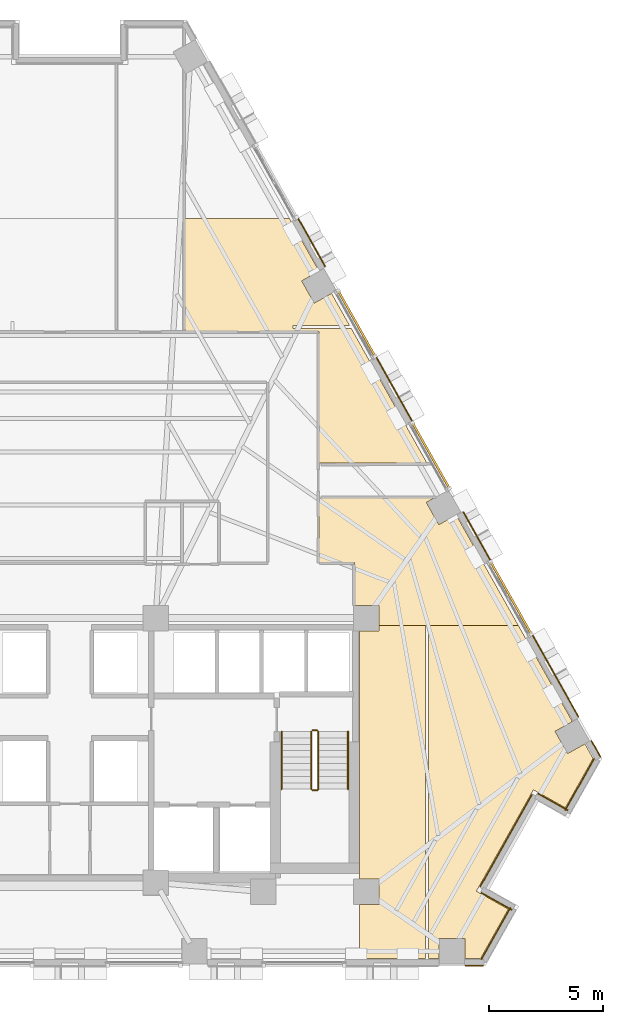
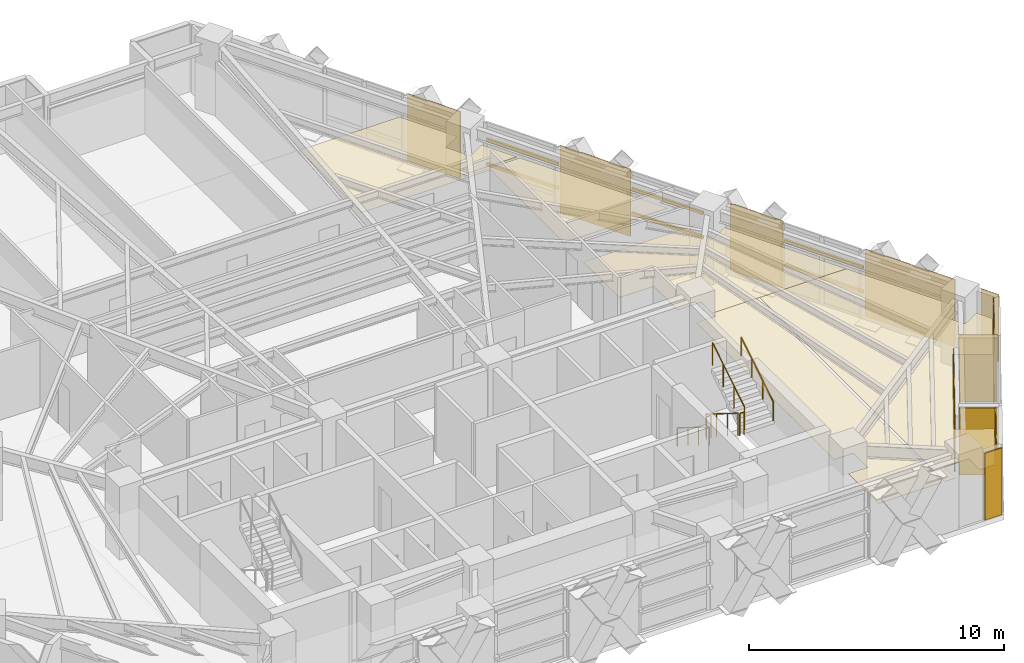
# One storey, part 13 of 14: 15 coverings, 6 railings, 6 shading devices.
"""IFC4 building model written with IfcOpenShell, lengths in metres."""

from ifc_helpers import new_model, si_unit, direction, frame, origin, origin_2d, place, context, subcontext, project, spatial, polyline, rectangle, circle, outline, extrude, material, layer, layer_set, material_profile, profile_set, type_object, element, save


model = new_model("IFC4")

# Units and contexts
model_context = context("Model", 3, precision=1e-05, world=origin(), true_north=direction((0.0, 1.0)))
body_context = subcontext(model_context, "Body", "Model", "MODEL_VIEW")
ifc_project = project(units=[si_unit("LENGTHUNIT", "METRE"), si_unit("AREAUNIT", "SQUARE_METRE"), si_unit("VOLUMEUNIT", "CUBIC_METRE"), si_unit("PLANEANGLEUNIT", "RADIAN"), si_unit("MASSUNIT", "GRAM", prefix="KILO")], contexts=[model_context])

# Site, building, storey
site_placement = place(None, origin())
site = spatial("IfcSite", under=ifc_project, at=site_placement, CompositionType="ELEMENT")
building_placement = place(site_placement, origin())
building = spatial("IfcBuilding", under=site, at=building_placement, Name="Quenlor Broadcast Tower", CompositionType="ELEMENT")
storey_placement = place(building_placement, frame((0.0, 0.0, 80.10009765625)))
storey = spatial("IfcBuildingStorey", under=building, at=storey_placement, Name="L21", CompositionType="ELEMENT", Elevation=80.10009765625)

# Coverings
ifc_material_1 = material(Name="Acoustic Mineral Fibre Board", Category="other")
ifc_layer_1 = layer(ifc_material_1, 0.02490234375)
ifc_layer_set_1 = layer_set([ifc_layer_1], Name="Acoustic Perforated Mineral Tile Ceiling 25")
covering_type_1 = type_object("IfcCoveringType", Name="Acoustic Perforated Mineral Tile Ceiling 25", PredefinedType="CEILING", material=ifc_layer_set_1)
covering_1_placement = place(storey_placement, frame((0.0, 0.0, 2.224853515625)))
element("IfcCovering", 1, at=covering_1_placement, inside=storey, type_object=covering_type_1, Name="L21 Acoustic Ceiling L21-36", PredefinedType="CEILING", context=body_context, shape_type="SweptSolid", body=[
    extrude(outline(polyline([(12.288818359375, 7.860107421875), (15.59619140625, 1.97998046875), (10.8798828125, 1.97998046875), (10.8798828125, 7.72998046875), (5.0400390625, 7.72998046875), (5.0400390625, 12.64990234375), (9.59423828125, 12.64990234375), (10.883544921875, 10.35791015625), (10.126953125, 9.9326171875), (10.674072265625, 8.959716796875), (11.4306640625, 9.38525390625), (12.22119140625, 7.97998046875), (9.75, 7.97998046875), (9.75, 7.860107421875), (12.288818359375, 7.860107421875)])), origin(), (0.0, 0.0, 1.0), 0.025146484375),
])
covering_2_placement = place(storey_placement, frame((0.0, 0.0, 2.224853515625)))
element("IfcCovering", 2, at=covering_2_placement, inside=storey, type_object=covering_type_1, Name="L21 Acoustic Ceiling L21-40-2", PredefinedType="CEILING", context=body_context, shape_type="SweptSolid", body=[
    extrude(outline(polyline([(13.508056640625, -4.241943359375), (12.43994140625, -4.241943359375), (12.43994140625, -2.3701171875), (10.8798828125, -2.3701171875), (10.8798828125, 0.4462890625), (15.909423828125, 0.4462890625), (15.5703125, 0.255615234375), (16.1171875, -0.717041015625), (16.873779296875, -0.29150390625), (19.58984375, -5.1201171875), (15.659912109375, -5.1201171875), (15.5400390625, -5.1201171875), (13.508056640625, -5.1201171875), (13.508056640625, -4.241943359375)])), origin(), (0.0, 0.0, 1.0), 0.025146484375),
])
covering_3_placement = place(storey_placement, frame((0.0, 0.0, 2.224853515625)))
element("IfcCovering", 3, at=covering_3_placement, inside=storey, type_object=covering_type_1, Name="L21 Acoustic Ceiling L21-40-5", PredefinedType="CEILING", context=body_context, shape_type="SweptSolid", body=[
    extrude(outline(polyline([(13.508056640625, -17.30810546875), (13.508056640625, -16.19189453125), (12.64990234375, -16.19189453125), (12.64990234375, -5.35791015625), (13.508056640625, -5.35791015625), (13.508056640625, -5.1201171875), (15.5400390625, -5.1201171875), (15.5400390625, -19.659912109375), (12.64990234375, -19.659912109375), (12.64990234375, -17.30810546875), (13.508056640625, -17.30810546875)])), origin(), (0.0, 0.0, 1.0), 0.025146484375),
])
covering_4_placement = place(storey_placement, frame((0.0, 0.0, 2.224853515625)))
element("IfcCovering", 4, at=covering_4_placement, inside=storey, type_object=covering_type_1, Name="L21 Acoustic Ceiling L21-40-6", PredefinedType="CEILING", context=body_context, shape_type="SweptSolid", body=[
    extrude(outline(polyline([(21.951416015625, -9.318115234375), (21.19482421875, -9.74365234375), (21.741943359375, -10.71630859375), (22.49853515625, -10.290771484375), (22.85693359375, -10.927978515625), (21.64453125, -13.08349609375), (20.25, -12.299072265625), (17.759521484375, -16.7265625), (19.15380859375, -17.510986328125), (17.9453125, -19.659912109375), (17.25048828125, -19.659912109375), (17.25048828125, -18.7919921875), (16.134521484375, -18.7919921875), (16.134521484375, -19.659912109375), (15.659912109375, -19.659912109375), (15.659912109375, -5.1201171875), (19.58984375, -5.1201171875), (21.951416015625, -9.318115234375)])), origin(), (0.0, 0.0, 1.0), 0.025146484375),
])

# Shading devices
ifc_material_2 = material(Name="Architectural Terracotta Ceramic", Category="masonry")
ifc_material_profile = material_profile(ifc_material_2, rectangle(XDim=0.090087890625, YDim=0.139892578125, at=origin_2d()))
ifc_profile_set = profile_set([ifc_material_profile], Name="Architectural Terracotta Ceramic BAG90x140")
shading_device_type = type_object("IfcShadingDeviceType", Name="Copper Terracotta Baguette Solar Screen 140", PredefinedType="USERDEFINED", material=ifc_profile_set)
for number, where, z_axis, x_axis, name in (
    (5, (18.385986328125, -2.341796875, 1.169921875), (0.490344725936, -0.871528570815, 0.0), (0.871528570815, 0.490344725936, 0.0), "L21 Terracotta Baguette Screen 1"),
    (6, (18.385986328125, -2.341796875, 2.33984375), (0.490344725936, -0.871528570815, 0.0), (0.871528570815, 0.490344725936, 0.0), "L21 Terracotta Baguette Screen 2"),
):
    element("IfcShadingDevice", number, at=place(storey_placement, frame(where, z_axis=z_axis, x_axis=x_axis)), inside=storey, type_object=shading_device_type, Name=name, ObjectType="BAGUETTE", PredefinedType="USERDEFINED", context=body_context, shape_type="SweptSolid", body=[
        extrude(rectangle(XDim=0.090087890625, YDim=0.139892578125, at=origin_2d()), origin(), (0.0, 0.0, 1.0), 3.60986328125),
    ])
for number, where, z_axis, x_axis, name in (
    (7, (11.7275390625, 9.49560546875, 1.169921875), (0.490254145389, -0.871579527599, 0.0), (0.871579527599, 0.490254145389, 0.0), "L21 Terracotta Baguette Screen 1"),
    (8, (11.7275390625, 9.49560546875, 2.33984375), (0.490254145389, -0.871579527599, 0.0), (0.871579527599, 0.490254145389, 0.0), "L21 Terracotta Baguette Screen 2"),
    (9, (14.97314453125, 3.72607421875, 1.169921875), (0.490254145389, -0.871579527599, 0.0), (0.871579527599, 0.490254145389, 0.0), "L21 Terracotta Baguette Screen 1"),
    (10, (14.97314453125, 3.72607421875, 2.33984375), (0.490254145389, -0.871579527599, 0.0), (0.871579527599, 0.490254145389, 0.0), "L21 Terracotta Baguette Screen 2"),
):
    element("IfcShadingDevice", number, at=place(storey_placement, frame(where, z_axis=z_axis, x_axis=x_axis)), inside=storey, type_object=shading_device_type, Name=name, ObjectType="BAGUETTE", PredefinedType="USERDEFINED", context=body_context, shape_type="SweptSolid", body=[
        extrude(rectangle(XDim=0.090087890625, YDim=0.139892578125, at=origin_2d()), origin(), (0.0, 0.0, 1.0), 3.267822265625),
    ])

# Coverings
ifc_material_3 = material(Name="Architectural Terracotta Ceramic", Category="masonry")
ifc_layer_2 = layer(ifc_material_3, 0.044921875)
ifc_layer_set_2 = layer_set([ifc_layer_2], Name="Fluted Terracotta Rainscreen Cladding Panel")
covering_type_2 = type_object("IfcCoveringType", Name="Fluted Terracotta Rainscreen Cladding Panel", PredefinedType="CLADDING", material=ifc_layer_set_2)
covering_5_placement = place(storey_placement, frame((0.0, 0.0, 0.02001953125)))
element("IfcCovering", 11, at=covering_5_placement, inside=storey, type_object=covering_type_2, Name="L21 Terracotta Rainscreen Cladding L21-SHD-SS0", PredefinedType="CLADDING", context=body_context, shape_type="SweptSolid", body=[
    extrude(outline(polyline([(18.053955078125, -19.951904296875), (17.277587890625, -19.951904296875), (17.277587890625, -19.9970703125), (18.053955078125, -19.9970703125), (18.053955078125, -19.951904296875)])), origin(), (0.0, 0.0, 1.0), 3.2099609375),
])
covering_6_placement = place(storey_placement, frame((0.0, 0.0, 0.02001953125)))
element("IfcCovering", 12, at=covering_6_placement, inside=storey, type_object=covering_type_2, Name="L21 Terracotta Rainscreen Cladding L21-SHD-NES1", PredefinedType="CLADDING", context=body_context, shape_type="SweptSolid", body=[
    extrude(outline(polyline([(22.76611328125, -10.171142578125), (23.160888671875, -10.873046875), (23.2001953125, -10.85107421875), (22.805419921875, -10.149169921875), (22.76611328125, -10.171142578125)])), origin(), (0.0, 0.0, 1.0), 3.2099609375),
])
covering_7_placement = place(storey_placement, frame((0.0, 0.0, 0.02001953125)))
element("IfcCovering", 13, at=covering_7_placement, inside=storey, type_object=covering_type_2, Name="L21 Terracotta Rainscreen Cladding L21-NEA-SP2", PredefinedType="CLADDING", context=body_context, shape_type="SweptSolid", body=[
    extrude(outline(polyline([(9.948974609375, 12.656005859375), (11.13232421875, 10.552001953125), (11.171630859375, 10.57421875), (9.98828125, 12.677978515625), (9.948974609375, 12.656005859375)])), origin(), (0.0, 0.0, 1.0), 3.2099609375),
])
covering_8_placement = place(storey_placement, frame((0.0, 0.0, 0.02001953125)))
element("IfcCovering", 14, at=covering_8_placement, inside=storey, type_object=covering_type_2, Name="L21 Terracotta Rainscreen Cladding L21-NEC-SP1", PredefinedType="CLADDING", context=body_context, shape_type="SweptSolid", body=[
    extrude(outline(polyline([(17.168701171875, -0.179443359375), (18.35205078125, -2.283203125), (18.391357421875, -2.26123046875), (17.2080078125, -0.157470703125), (17.168701171875, -0.179443359375)])), origin(), (0.0, 0.0, 1.0), 3.2099609375),
])
covering_9_placement = place(storey_placement, frame((0.0, 0.0, 0.02001953125)))
element("IfcCovering", 15, at=covering_9_placement, inside=storey, type_object=covering_type_2, Name="L21 Terracotta Rainscreen Cladding L21-NEC-SP2", PredefinedType="CLADDING", context=body_context, shape_type="SweptSolid", body=[
    extrude(outline(polyline([(20.188232421875, -5.547119140625), (22.2001953125, -9.1240234375), (22.239501953125, -9.10205078125), (20.227294921875, -5.525146484375), (20.188232421875, -5.547119140625)])), origin(), (0.0, 0.0, 1.0), 3.2099609375),
])
covering_10_placement = place(storey_placement, frame((0.0, 0.0, 0.02001953125)))
element("IfcCovering", 16, at=covering_10_placement, inside=storey, type_object=covering_type_2, Name="L21 Terracotta Rainscreen Cladding L21-NE-SP1", PredefinedType="CLADDING", context=body_context, shape_type="SweptSolid", body=[
    extrude(outline(polyline([(13.362060546875, 6.588134765625), (14.939208984375, 3.784423828125), (14.978515625, 3.806396484375), (13.401123046875, 6.610107421875), (13.362060546875, 6.588134765625)])), origin(), (0.0, 0.0, 1.0), 3.2099609375),
])
covering_11_placement = place(storey_placement, frame((0.0, 0.0, 0.02001953125)))
element("IfcCovering", 17, at=covering_11_placement, inside=storey, type_object=covering_type_2, Name="L21 Terracotta Rainscreen Cladding L21-CNR-01", PredefinedType="CLADDING", context=body_context, shape_type="SweptSolid", body=[
    extrude(outline(polyline([(19.31787109375, -17.525390625), (17.9755859375, -16.770263671875), (17.95361328125, -16.8095703125), (19.2958984375, -17.564697265625), (19.31787109375, -17.525390625)])), origin(), (0.0, 0.0, 1.0), 3.2099609375),
])
covering_12_placement = place(storey_placement, frame((0.0, 0.0, 0.02001953125)))
element("IfcCovering", 18, at=covering_12_placement, inside=storey, type_object=covering_type_2, Name="L21 Terracotta Rainscreen Cladding L21-CNR-02", PredefinedType="CLADDING", context=body_context, shape_type="SweptSolid", body=[
    extrude(outline(polyline([(17.941162109375, -16.5419921875), (20.206298828125, -12.515380859375), (20.1669921875, -12.493408203125), (17.902099609375, -16.52001953125), (17.941162109375, -16.5419921875)])), origin(), (0.0, 0.0, 1.0), 2.681640625),
])
covering_13_placement = place(storey_placement, frame((0.0, 0.0, 0.02001953125)))
element("IfcCovering", 19, at=covering_13_placement, inside=storey, type_object=covering_type_2, Name="L21 Terracotta Rainscreen Cladding L21-CNR-03", PredefinedType="CLADDING", context=body_context, shape_type="SweptSolid", body=[
    extrude(outline(polyline([(20.4345703125, -12.48095703125), (21.741943359375, -13.21630859375), (21.763916015625, -13.177001953125), (20.45654296875, -12.441650390625), (20.4345703125, -12.48095703125)])), origin(), (0.0, 0.0, 1.0), 3.2099609375),
])
covering_14_placement = place(storey_placement, frame((0.0, 0.0, 0.02001953125)))
element("IfcCovering", 20, at=covering_14_placement, inside=storey, type_object=covering_type_2, Name="L21 Terracotta Rainscreen Cladding L21-CNR-04", PredefinedType="CLADDING", context=body_context, shape_type="SweptSolid", body=[
    extrude(outline(polyline([(21.64990234375, -13.212646484375), (22.926513671875, -10.94287109375), (22.887451171875, -10.9208984375), (21.610595703125, -13.190673828125), (21.64990234375, -13.212646484375)])), origin(), (0.0, 0.0, 1.0), 3.2099609375),
])
covering_15_placement = place(storey_placement, frame((0.0, 0.0, 0.02001953125)))
element("IfcCovering", 21, at=covering_15_placement, inside=storey, type_object=covering_type_2, Name="L21 Terracotta Rainscreen Cladding L21-CNR-18", PredefinedType="CLADDING", context=body_context, shape_type="SweptSolid", body=[
    extrude(outline(polyline([(17.991943359375, -19.71533203125), (19.26708984375, -17.448486328125), (19.227783203125, -17.426513671875), (17.952880859375, -19.693359375), (17.991943359375, -19.71533203125)])), origin(), (0.0, 0.0, 1.0), 3.2099609375),
])

# Railings
ifc_material_4 = material(Name="Anodised Aluminium", Category="aluminium")
railing_type_1 = type_object("IfcRailingType", Name="Stainless Aluminium Wall Handrail 900", PredefinedType="HANDRAIL", material=ifc_material_4)
railing_1_placement = place(storey_placement, frame((9.25, -9.75, 0.1748046875)))
element("IfcRailing", 22, at=railing_1_placement, inside=storey, type_object=railing_type_1, Name="L21 ST-2 stair handrail 1", PredefinedType="HANDRAIL", context=body_context, shape_type="SweptSolid", body=[
    extrude(circle(Radius=0.02392578125, at=origin_2d()), frame((0.0, 0.0, 0.8759765625), z_axis=(0.0, -0.847970611238, 0.530043245855), x_axis=(1.0, 0.0, 0.0)), (0.0, 0.0, 1.0), 2.971923828125),
    extrude(circle(Radius=0.02099609375, at=origin_2d()), origin(), (0.0, 0.0, 1.0), 0.851806640625),
    extrude(circle(Radius=0.02099609375, at=origin_2d()), frame((0.0, -0.840087890625, 0.525146484375)), (0.0, 0.0, 1.0), 0.851806640625),
    extrude(circle(Radius=0.02099609375, at=origin_2d()), frame((0.0, -1.679931640625, 1.050048828125)), (0.0, 0.0, 1.0), 0.851806640625),
    extrude(circle(Radius=0.02099609375, at=origin_2d()), frame((0.0, -2.52001953125, 1.5751953125)), (0.0, 0.0, 1.0), 0.851806640625),
])
railing_2_placement = place(storey_placement, frame((12.14990234375, -12.27001953125, 1.9248046875)))
element("IfcRailing", 23, at=railing_2_placement, inside=storey, type_object=railing_type_1, Name="L21 ST-2 stair handrail 2", PredefinedType="HANDRAIL", context=body_context, shape_type="SweptSolid", body=[
    extrude(circle(Radius=0.02392578125, at=origin_2d()), frame((0.0, 0.0, 0.8759765625), z_axis=(0.0, 0.847970611238, 0.530043245855), x_axis=(-1.0, 0.0, 0.0)), (0.0, 0.0, 1.0), 2.971923828125),
    extrude(circle(Radius=0.02099609375, at=origin_2d()), origin(), (0.0, 0.0, 1.0), 0.851806640625),
    extrude(circle(Radius=0.02099609375, at=origin_2d()), frame((0.0, 0.840087890625, 0.525146484375)), (0.0, 0.0, 1.0), 0.851806640625),
    extrude(circle(Radius=0.02099609375, at=origin_2d()), frame((0.0, 1.679931640625, 1.050048828125)), (0.0, 0.0, 1.0), 0.851806640625),
    extrude(circle(Radius=0.02099609375, at=origin_2d()), frame((0.0, 2.52001953125, 1.5751953125)), (0.0, 0.0, 1.0), 0.851806640625),
])
ifc_material_5 = material(Name="Steel S355", Category="steel")
railing_type_2 = type_object("IfcRailingType", Name="Tubular Steel S355 Stair Guardrail 1100", PredefinedType="BALUSTRADE", material=ifc_material_5)
railing_3_placement = place(storey_placement, frame((10.550048828125, -9.75, 0.1748046875)))
element("IfcRailing", 24, at=railing_3_placement, inside=storey, type_object=railing_type_2, Name="L21 ST-2 stair guard 1", PredefinedType="BALUSTRADE", context=body_context, shape_type="SweptSolid", body=[
    extrude(circle(Radius=0.02392578125, at=origin_2d()), frame((0.0, 0.0, 1.076171875), z_axis=(0.0, -0.847970611238, 0.530043245855), x_axis=(1.0, 0.0, 0.0)), (0.0, 0.0, 1.0), 2.971923828125),
    extrude(circle(Radius=0.02099609375, at=origin_2d()), origin(), (0.0, 0.0, 1.0), 1.052001953125),
    extrude(circle(Radius=0.02099609375, at=origin_2d()), frame((0.0, -0.840087890625, 0.525146484375)), (0.0, 0.0, 1.0), 1.052001953125),
    extrude(circle(Radius=0.02099609375, at=origin_2d()), frame((0.0, -1.679931640625, 1.050048828125)), (0.0, 0.0, 1.0), 1.052001953125),
    extrude(circle(Radius=0.02099609375, at=origin_2d()), frame((0.0, -2.52001953125, 1.5751953125)), (0.0, 0.0, 1.0), 1.052001953125),
])
railing_4_placement = place(storey_placement, frame((10.60009765625, -12.320068359375, 1.75)))
element("IfcRailing", 25, at=railing_4_placement, inside=storey, type_object=railing_type_2, Name="L21 ST-2 stair guard 2", PredefinedType="BALUSTRADE", context=body_context, shape_type="SweptSolid", body=[
    extrude(circle(Radius=0.02392578125, at=origin_2d()), frame((0.0, 0.0, 1.076171875), z_axis=(1.0, 0.0, 0.0), x_axis=(0.0, 1.0, 0.0)), (0.0, 0.0, 1.0), 0.199951171875),
    extrude(circle(Radius=0.02099609375, at=origin_2d()), origin(), (0.0, 0.0, 1.0), 1.052001953125),
    extrude(circle(Radius=0.02099609375, at=origin_2d()), frame((0.199951171875, 0.0, 0.0)), (0.0, 0.0, 1.0), 1.052001953125),
])
railing_5_placement = place(storey_placement, frame((10.85009765625, -12.27001953125, 1.9248046875)))
element("IfcRailing", 26, at=railing_5_placement, inside=storey, type_object=railing_type_2, Name="L21 ST-2 stair guard 3", PredefinedType="BALUSTRADE", context=body_context, shape_type="SweptSolid", body=[
    extrude(circle(Radius=0.02392578125, at=origin_2d()), frame((0.0, 0.0, 1.076171875), z_axis=(0.0, 0.847970611238, 0.530043245855), x_axis=(-1.0, 0.0, 0.0)), (0.0, 0.0, 1.0), 2.971923828125),
    extrude(circle(Radius=0.02099609375, at=origin_2d()), origin(), (0.0, 0.0, 1.0), 1.052001953125),
    extrude(circle(Radius=0.02099609375, at=origin_2d()), frame((0.0, 0.840087890625, 0.525146484375)), (0.0, 0.0, 1.0), 1.052001953125),
    extrude(circle(Radius=0.02099609375, at=origin_2d()), frame((0.0, 1.679931640625, 1.050048828125)), (0.0, 0.0, 1.0), 1.052001953125),
    extrude(circle(Radius=0.02099609375, at=origin_2d()), frame((0.0, 2.52001953125, 1.5751953125)), (0.0, 0.0, 1.0), 1.052001953125),
])
railing_6_placement = place(storey_placement, frame((10.60009765625, -9.699951171875, 0.0)))
element("IfcRailing", 27, at=railing_6_placement, inside=storey, type_object=railing_type_2, Name="L21 ST-2 stair guard 4", PredefinedType="BALUSTRADE", context=body_context, shape_type="SweptSolid", body=[
    extrude(circle(Radius=0.02392578125, at=origin_2d()), frame((0.0, 0.0, 1.076171875), z_axis=(1.0, 0.0, 0.0), x_axis=(0.0, 1.0, 0.0)), (0.0, 0.0, 1.0), 0.199951171875),
    extrude(circle(Radius=0.02099609375, at=origin_2d()), origin(), (0.0, 0.0, 1.0), 1.052001953125),
    extrude(circle(Radius=0.02099609375, at=origin_2d()), frame((0.199951171875, 0.0, 0.0)), (0.0, 0.0, 1.0), 1.052001953125),
])

save(model, "model.ifc")
